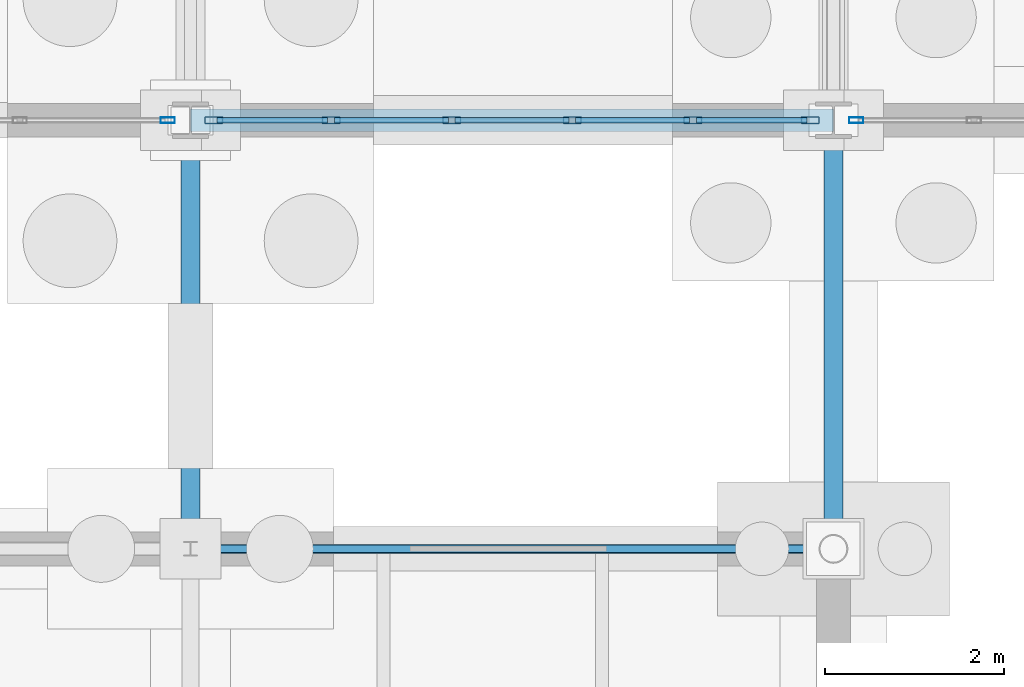
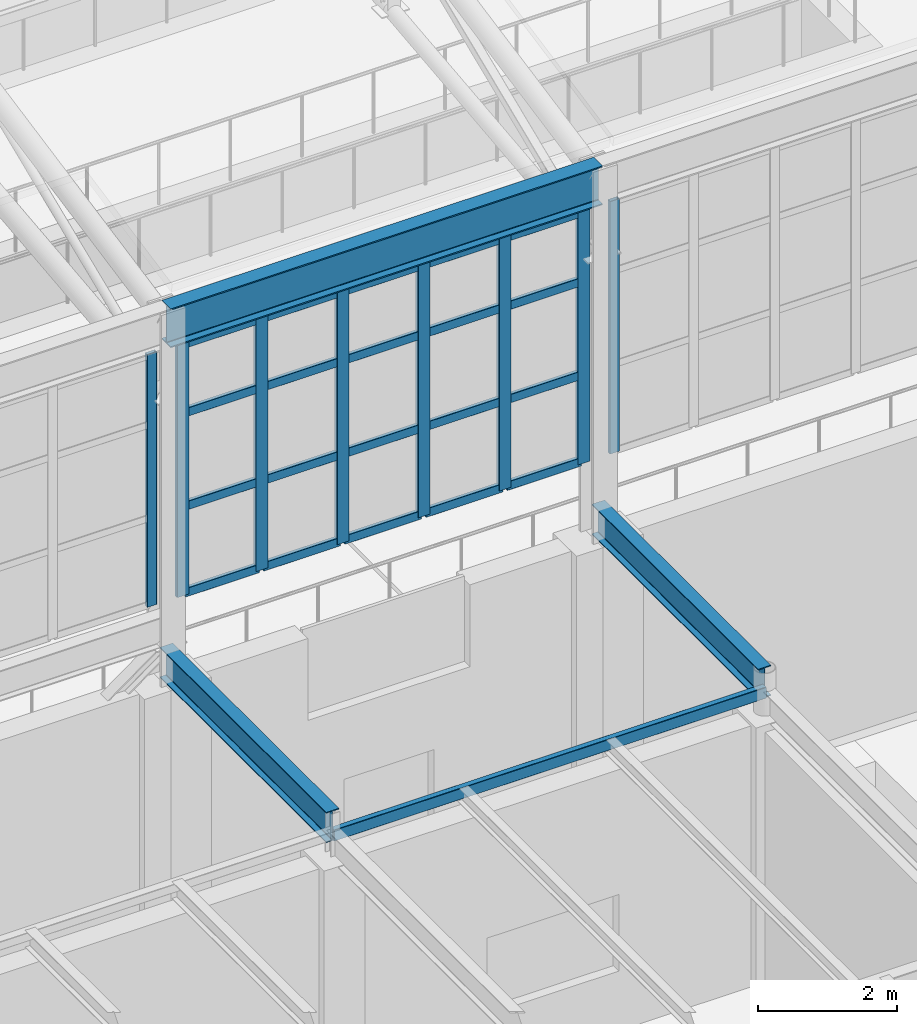
# One storey, part 170 of 293: 28 members, 4 beams, 3 elements without a shape of their own.
"""IFC4 building model written with IfcOpenShell, lengths in metres."""

import ifcopenshell
import ifcopenshell.guid

model = None  # the IFC model being written
_history = None  # IfcOwnerHistory: only IFC2X3 demands one
_inside = {}  # id of a spatial element -> (the spatial element, [elements in it])
_under = {}  # id of a project, library or spatial element -> (it, [spatial elements below it])
_declared = {}  # id of a project -> (the project, [libraries it declares])
_typed = {}  # id of a type object -> (the type object, [elements of that type])
_made_of = {}  # id of a material, layer set ... -> (it, [elements and type objects made of it])


def new_model(schema):
    """Start an empty IFC model of exactly this schema.

    Asked for "IFC4X3", IfcOpenShell would pick the latest addendum, in which some entities
    have other attributes; the version numbers below select the first issue.
    IFC2X3 requires an IfcOwnerHistory on every rooted entity: one is made here for all.
    """
    global model, _history
    if schema == "IFC4X3":
        model = ifcopenshell.file(schema_version=(4, 3, 0, 0))
    else:
        model = ifcopenshell.file(schema=schema)
    _inside.clear()
    _under.clear()
    _declared.clear()
    _typed.clear()
    _made_of.clear()
    _history = None
    if model.schema == "IFC2X3":
        org = make("IfcOrganization", Name="unknown")
        user = make(
            "IfcPersonAndOrganization",
            ThePerson=make("IfcPerson", FamilyName="unknown"),
            TheOrganization=org,
        )
        app = make(
            "IfcApplication",
            ApplicationDeveloper=org,
            Version="unknown",
            ApplicationFullName="unknown",
            ApplicationIdentifier="unknown",
        )
        _history = make(
            "IfcOwnerHistory",
            OwningUser=user,
            OwningApplication=app,
            ChangeAction="ADDED",
            CreationDate=0,
        )
    return model


def make(cls, **values):
    """One entity of the class cls with the attributes given. An attribute that is None is left unset."""
    return model.create_entity(
        cls, **{name: value for name, value in values.items() if value is not None}
    )


def rooted(cls, **values):
    """An entity with a GlobalId (a new one), such as an element, a storey or a relation."""
    return make(cls, GlobalId=ifcopenshell.guid.new(), OwnerHistory=_history, **values)


def si_unit(unit_type, name, prefix=None):
    """IfcSIUnit, for example si_unit("LENGTHUNIT", "METRE", prefix="MILLI")."""
    return make("IfcSIUnit", UnitType=unit_type, Prefix=prefix, Name=name)


def assignment(units):
    """IfcUnitAssignment: the units of a project."""
    return None if units is None else make("IfcUnitAssignment", Units=units)


def point(xyz):
    """IfcCartesianPoint."""
    return None if xyz is None else make("IfcCartesianPoint", Coordinates=xyz)


def direction(xyz):
    """IfcDirection."""
    return None if xyz is None else make("IfcDirection", DirectionRatios=xyz)


def frame(location, z_axis=None, x_axis=None):
    """IfcAxis2Placement3D, a coordinate frame: its origin and axes. An axis left out is left unset."""
    return make(
        "IfcAxis2Placement3D",
        Location=point(location),
        Axis=direction(z_axis),
        RefDirection=direction(x_axis),
    )


def frame_2d(location, x_axis=None):
    """IfcAxis2Placement2D, a coordinate frame in the plane: its origin and x axis."""
    return make(
        "IfcAxis2Placement2D", Location=point(location), RefDirection=direction(x_axis)
    )


def origin():
    """The frame at (0, 0, 0) with its axes left unset."""
    return frame((0.0, 0.0, 0.0))


def origin_2d():
    """The frame at (0, 0) in the plane with its x axis left unset."""
    return frame_2d((0.0, 0.0))


def place(relative_to, where):
    """IfcLocalPlacement: puts the frame where relative to a parent placement (None: the world)."""
    return make(
        "IfcLocalPlacement", PlacementRelTo=relative_to, RelativePlacement=where
    )


def context(
    kind, dimensions, precision=None, world=None, true_north=None, identifier=None
):
    """IfcGeometricRepresentationContext, for example the 3D "Model" context."""
    return make(
        "IfcGeometricRepresentationContext",
        ContextIdentifier=identifier,
        ContextType=kind,
        CoordinateSpaceDimension=dimensions,
        Precision=precision,
        WorldCoordinateSystem=world,
        TrueNorth=true_north,
    )


def subcontext(parent, identifier, kind, view, scale=None):
    """IfcGeometricRepresentationSubContext, for example "Body" below "Model"."""
    return make(
        "IfcGeometricRepresentationSubContext",
        ContextIdentifier=identifier,
        ContextType=kind,
        ParentContext=parent,
        TargetScale=scale,
        TargetView=view,
    )


def project(units=None, contexts=None):
    """IfcProject with its units and contexts."""
    return rooted(
        "IfcProject",
        Name="project",
        RepresentationContexts=contexts,
        UnitsInContext=assignment(units),
    )


def spatial(cls, under=None, at=None, **own):
    """A site, building, storey or space (cls), placed at a placement, below another one or the project."""
    s = rooted(cls, ObjectPlacement=at, **own)
    if under is not None:
        _under.setdefault(under.id(), (under, []))[1].append(s)
    return s


def profile(cls, at=None, kind="AREA", **sizes):
    """A parametric profile (cls). Its sizes go by their IFC names, for example OverallWidth=200.0."""
    return make(cls, ProfileType=kind, Position=at, **sizes)


def hollow_rectangle(**sizes):
    """IfcRectangleHollowProfileDef."""
    return profile("IfcRectangleHollowProfileDef", **sizes)


def i_section(**sizes):
    """IfcIShapeProfileDef."""
    return profile("IfcIShapeProfileDef", **sizes)


def extrude(swept, where, along, depth):
    """IfcExtrudedAreaSolid: the profile swept, set in the frame where, extruded along a direction by depth."""
    return make(
        "IfcExtrudedAreaSolid",
        SweptArea=swept,
        Position=where,
        ExtrudedDirection=direction(along),
        Depth=depth,
    )


def shape(context_of_items, identifier, shape_type, items):
    """IfcShapeRepresentation: the items that make up one representation, for example the "Body"."""
    return make(
        "IfcShapeRepresentation",
        ContextOfItems=context_of_items,
        RepresentationIdentifier=identifier,
        RepresentationType=shape_type,
        Items=items,
    )


def material(Name=None, Category=None):
    """IfcMaterial."""
    return make("IfcMaterial", Name=Name, Category=Category)


def layer(
    of_material, thickness, ventilated=None, Name=None, Category=None, Priority=None
):
    """IfcMaterialLayer: one layer of a wall or slab, of a material (None: an air gap)."""
    return make(
        "IfcMaterialLayer",
        Material=of_material,
        LayerThickness=thickness,
        IsVentilated=ventilated,
        Name=Name,
        Category=Category,
        Priority=Priority,
    )


def layer_set(layers, Name=None):
    """IfcMaterialLayerSet."""
    return make("IfcMaterialLayerSet", MaterialLayers=layers, LayerSetName=Name)


def material_profile(
    of_material, cross_section, Name=None, Category=None, Priority=None
):
    """IfcMaterialProfile: a cross section and its material."""
    return make(
        "IfcMaterialProfile",
        Name=Name,
        Material=of_material,
        Profile=cross_section,
        Priority=Priority,
        Category=Category,
    )


def profile_set(profiles, Name=None, composite=None):
    """IfcMaterialProfileSet."""
    return make(
        "IfcMaterialProfileSet",
        Name=Name,
        MaterialProfiles=profiles,
        CompositeProfile=composite,
    )


def made_of(thing, what):
    """Note that an element or type object is made of a material, layer set ...; save() writes the relation."""
    if what is not None:
        _made_of.setdefault(what.id(), (what, []))[1].append(thing)
    return thing


def type_object(cls, material=None, **own):
    """A type object (cls), such as IfcWallType, which elements share."""
    return made_of(rooted(cls, **own), material)


def element(
    cls,
    number,
    at=None,
    inside=None,
    cuts=None,
    type_object=None,
    material=None,
    context=None,
    identifier="Body",
    shape_type=None,
    held_by="IfcProductDefinitionShape",
    body=None,
    shapes=None,
    **own,
):
    """One element of the class cls, such as IfcWall. Its Tag is "e" and its number.

    at: its placement. inside: the storey or other place that contains it. cuts: it is an
    opening in that element (IfcRelVoidsElement). A single representation is given by context,
    identifier, shape_type and body (its items); several are given by shapes. held_by: the class
    of the entity that holds the representations. save() writes the other relations.
    """
    e = rooted(cls, Tag="e%d" % number, ObjectPlacement=at, **own)
    if body is not None:
        shapes = [shape(context, identifier, shape_type, body)]
    if shapes is not None:
        e.Representation = make(held_by, Representations=shapes)
    if inside is not None:
        _inside.setdefault(inside.id(), (inside, []))[1].append(e)
    if cuts is not None:
        rooted(
            "IfcRelVoidsElement", RelatingBuildingElement=cuts, RelatedOpeningElement=e
        )
    if type_object is not None:
        _typed.setdefault(type_object.id(), (type_object, []))[1].append(e)
    return made_of(e, material)


def aggregate(whole, parts):
    """IfcRelAggregates: a whole, such as a stair, and the parts it consists of."""
    return rooted("IfcRelAggregates", RelatingObject=whole, RelatedObjects=parts)


def save(model, path):
    """Write the relations noted so far, then the file.

    IfcRelAggregates (storeys below a building ...), IfcRelContainedInSpatialStructure (elements
    in a storey), IfcRelDefinesByType, IfcRelAssociatesMaterial and IfcRelDeclares: one each for
    every whole, place, type object, material and project.
    """
    for whole, parts in _under.values():
        aggregate(whole, parts)
    for where, things in _inside.values():
        rooted(
            "IfcRelContainedInSpatialStructure",
            RelatedElements=things,
            RelatingStructure=where,
        )
    for kind, things in _typed.values():
        rooted("IfcRelDefinesByType", RelatedObjects=things, RelatingType=kind)
    for what, things in _made_of.values():
        rooted("IfcRelAssociatesMaterial", RelatedObjects=things, RelatingMaterial=what)
    for by, libraries in _declared.values():
        rooted("IfcRelDeclares", RelatingContext=by, RelatedDefinitions=libraries)
    model.write(path)


model = new_model("IFC4")

# Units and contexts
model_context = context("Model", 3, precision=1e-05, world=origin(), true_north=direction((0.0, 1.0)))
body_context = subcontext(model_context, "Body", "Model", "MODEL_VIEW")
ifc_project = project(units=[si_unit("LENGTHUNIT", "METRE"), si_unit("AREAUNIT", "SQUARE_METRE"), si_unit("VOLUMEUNIT", "CUBIC_METRE"), si_unit("PLANEANGLEUNIT", "RADIAN"), si_unit("MASSUNIT", "GRAM", prefix="KILO")], contexts=[model_context])

# Site, building, storey
site_placement = place(None, origin())
site = spatial("IfcSite", under=ifc_project, at=site_placement, CompositionType="ELEMENT")
building_placement = place(site_placement, origin())
building = spatial("IfcBuilding", under=site, at=building_placement, Name="Kemerveld Promenade Tramway Depot", CompositionType="ELEMENT")
storey_placement = place(building_placement, origin())
storey = spatial("IfcBuildingStorey", under=building, at=storey_placement, Name="L00", CompositionType="ELEMENT", Elevation=0.0)

# Beams
ifc_material_1 = material(Name="Steel S355", Category="steel")
ifc_material_profile_1 = material_profile(ifc_material_1, i_section(OverallWidth=0.25439453125, OverallDepth=0.6875, WebThickness=0.01318359375, FlangeThickness=0.02099609375, FilletRadius=0.01513671875, at=origin_2d()), Name="686x254x152 UB")
ifc_profile_set_1 = profile_set([ifc_material_profile_1], Name="Steel S355")
beam_type_1 = type_object("IfcBeamType", Name="BM-G03", PredefinedType="BEAM", material=ifc_profile_set_1)
beam_1_placement = place(storey_placement, frame((151.199951171875, 84.0, 11.056396484375), z_axis=(1.0, 0.0, 0.0), x_axis=(0.0, 1.0, 0.0)))
element("IfcBeam", 1, at=beam_1_placement, inside=storey, type_object=beam_type_1, Name="BM-SHED-EAVE-N-22", PredefinedType="BEAM", context=body_context, shape_type="SweptSolid", body=[
    extrude(i_section(OverallWidth=0.25439453125, OverallDepth=0.6875, WebThickness=0.01318359375, FlangeThickness=0.02099609375, FilletRadius=0.01513671875, at=origin_2d()), origin(), (0.0, 0.0, 1.0), 7.199951171875),
])
ifc_material_profile_2 = material_profile(ifc_material_1, i_section(OverallWidth=0.2099609375, OverallDepth=0.53662109375, WebThickness=0.0107421875, FlangeThickness=0.017333984375, FilletRadius=0.0126953125, at=origin_2d()), Name="533x210x101 UB")
ifc_profile_set_2 = profile_set([ifc_material_profile_2], Name="Steel S355")
beam_type_2 = type_object("IfcBeamType", Name="BM-G05", PredefinedType="BEAM", material=ifc_profile_set_2)
for number, where, z_axis, x_axis, name in (
    (2, (151.199951171875, 79.199951171875, 5.131591796875), (0.0, 1.0, 0.0), (-1.0, 0.0, 0.0), "BM-LINK-22-MN"),
    (3, (158.39990234375, 79.199951171875, 5.131591796875), (0.0, 1.0, 0.0), (-1.0, 0.0, 0.0), "BM-LINK-23-MN"),
):
    element("IfcBeam", number, at=place(storey_placement, frame(where, z_axis=z_axis, x_axis=x_axis)), inside=storey, type_object=beam_type_2, Name=name, PredefinedType="BEAM", context=body_context, shape_type="SweptSolid", body=[
        extrude(i_section(OverallWidth=0.2099609375, OverallDepth=0.53662109375, WebThickness=0.0107421875, FlangeThickness=0.017333984375, FilletRadius=0.0126953125, at=origin_2d()), origin(), (0.0, 0.0, 1.0), 4.800048828125),
    ])
ifc_material_profile_3 = material_profile(ifc_material_1, hollow_rectangle(XDim=0.10009765625, YDim=0.199951171875, WallThickness=0.008056640625, InnerFilletRadius=0.00390625, OuterFilletRadius=0.011962890625, at=origin_2d()), Name="200x100x8.0 RHS")
ifc_profile_set_3 = profile_set([ifc_material_profile_3], Name="Steel S355")
beam_type_3 = type_object("IfcBeamType", Name="BM-LN1", PredefinedType="LINTEL", material=ifc_profile_set_3)
beam_2_placement = place(storey_placement, frame((151.199951171875, 79.199951171875, 4.97998046875), z_axis=(1.0, 0.0, 0.0), x_axis=(0.0, 1.0, 0.0)))
element("IfcBeam", 4, at=beam_2_placement, inside=storey, type_object=beam_type_3, Name="BMX-L00-22-23-M", PredefinedType="LINTEL", context=body_context, shape_type="SweptSolid", body=[
    extrude(hollow_rectangle(XDim=0.10009765625, YDim=0.199951171875, WallThickness=0.008056640625, InnerFilletRadius=0.00390625, OuterFilletRadius=0.011962890625, at=origin_2d()), origin(), (0.0, 0.0, 1.0), 7.199951171875),
])

# Curtain wall, member
ifc_material_2 = material(Name="Bronze anodised aluminium and solar glass", Category="aluminium")
ifc_layer_1 = layer(ifc_material_2, 0.159912109375)
ifc_layer_set_1 = layer_set([ifc_layer_1], Name="CW-SYS-05")
curtain_wall_type_1 = type_object("IfcCurtainWallType", Name="CW-SYS-05", PredefinedType="USERDEFINED", material=ifc_layer_set_1)
curtain_wall_1_placement = place(storey_placement, origin())
curtain_wall_1 = element("IfcCurtainWall", 5, at=curtain_wall_1_placement, inside=storey, type_object=curtain_wall_type_1, Name="CW-V1-S-16", ObjectType="GLAZED_CURTAIN_WALL", PredefinedType="USERDEFINED")
ifc_material_3 = material(Name="Bronze anodised aluminium", Category="aluminium")
ifc_material_profile_4 = material_profile(ifc_material_3, hollow_rectangle(XDim=0.06494140625, YDim=0.159912109375, WallThickness=0.00390625, InnerFilletRadius=0.001953125, OuterFilletRadius=0.00390625, at=origin_2d()), Name="CW-MUL-160x65")
ifc_profile_set_4 = profile_set([ifc_material_profile_4], Name="Bronze anodised aluminium")
member_type_1 = type_object("IfcMemberType", Name="CW-MUL-A", PredefinedType="MULLION", material=ifc_profile_set_4)
member_1_placement = place(storey_placement, frame((150.9443359375, 84.0, 6.199951171875), z_axis=(0.0, 0.0, 1.0), x_axis=(0.0, -1.0, 0.0)))
member_1 = element("IfcMember", 6, at=member_1_placement, type_object=member_type_1, Name="CW05 mullion 1", PredefinedType="MULLION", context=body_context, shape_type="SweptSolid", body=[
    extrude(hollow_rectangle(XDim=0.06494140625, YDim=0.159912109375, WallThickness=0.00390625, InnerFilletRadius=0.001953125, OuterFilletRadius=0.00390625, at=origin_2d()), origin(), (0.0, 0.0, 1.0), 4.449951171875),
])
aggregate(curtain_wall_1, [member_1])

ifc_layer_2 = layer(ifc_material_2, 0.159912109375)
ifc_layer_set_2 = layer_set([ifc_layer_2], Name="CW-SYS-07")
curtain_wall_type_2 = type_object("IfcCurtainWallType", Name="CW-SYS-07", PredefinedType="USERDEFINED", material=ifc_layer_set_2)
curtain_wall_2_placement = place(storey_placement, origin())
curtain_wall_2 = element("IfcCurtainWall", 7, at=curtain_wall_2_placement, inside=storey, type_object=curtain_wall_type_2, Name="CW-V1-S-18", ObjectType="GLAZED_CURTAIN_WALL", PredefinedType="USERDEFINED")
member_2_placement = place(storey_placement, frame((158.65576171875, 84.0, 6.199951171875), z_axis=(0.0, 0.0, 1.0), x_axis=(0.0, -1.0, 0.0)))
member_2 = element("IfcMember", 8, at=member_2_placement, type_object=member_type_1, Name="CW07 mullion 6", PredefinedType="MULLION", context=body_context, shape_type="SweptSolid", body=[
    extrude(hollow_rectangle(XDim=0.06494140625, YDim=0.159912109375, WallThickness=0.00390625, InnerFilletRadius=0.001953125, OuterFilletRadius=0.00390625, at=origin_2d()), origin(), (0.0, 0.0, 1.0), 4.449951171875),
])
aggregate(curtain_wall_2, [member_2])

# Curtain wall, members
ifc_layer_3 = layer(ifc_material_2, 0.199951171875)
ifc_layer_set_3 = layer_set([ifc_layer_3], Name="CW-SYS-06")
curtain_wall_type_3 = type_object("IfcCurtainWallType", Name="CW-SYS-06", PredefinedType="USERDEFINED", material=ifc_layer_set_3)
curtain_wall_3_placement = place(storey_placement, origin())
curtain_wall_3 = element("IfcCurtainWall", 9, at=curtain_wall_3_placement, inside=storey, type_object=curtain_wall_type_3, Name="CW-V1-S-17", ObjectType="GLAZED_CURTAIN_WALL", PredefinedType="USERDEFINED")
ifc_material_profile_5 = material_profile(ifc_material_3, hollow_rectangle(XDim=0.074951171875, YDim=0.199951171875, WallThickness=0.0048828125, InnerFilletRadius=0.001953125, OuterFilletRadius=0.0048828125, at=origin_2d()), Name="CW-MUL-200x75")
ifc_profile_set_5 = profile_set([ifc_material_profile_5], Name="Bronze anodised aluminium")
member_type_2 = type_object("IfcMemberType", Name="CW-MUL-B", PredefinedType="MULLION", material=ifc_profile_set_5)
member_3_placement = place(storey_placement, frame((158.139404296875, 84.0, 6.199951171875), z_axis=(0.0, 0.0, 1.0), x_axis=(0.0, -1.0, 0.0)))
member_3 = element("IfcMember", 10, at=member_3_placement, type_object=member_type_2, Name="CW06 mullion 1", PredefinedType="MULLION", context=body_context, shape_type="SweptSolid", body=[
    extrude(hollow_rectangle(XDim=0.074951171875, YDim=0.199951171875, WallThickness=0.0048828125, InnerFilletRadius=0.001953125, OuterFilletRadius=0.0048828125, at=origin_2d()), origin(), (0.0, 0.0, 1.0), 4.449951171875),
])
member_4_placement = place(storey_placement, frame((156.826171875, 84.0, 6.199951171875), z_axis=(0.0, 0.0, 1.0), x_axis=(0.0, -1.0, 0.0)))
member_4 = element("IfcMember", 11, at=member_4_placement, type_object=member_type_2, Name="CW06 mullion 2", PredefinedType="MULLION", context=body_context, shape_type="SweptSolid", body=[
    extrude(hollow_rectangle(XDim=0.074951171875, YDim=0.199951171875, WallThickness=0.0048828125, InnerFilletRadius=0.001953125, OuterFilletRadius=0.0048828125, at=origin_2d()), origin(), (0.0, 0.0, 1.0), 4.449951171875),
])
member_5_placement = place(storey_placement, frame((155.475341796875, 84.0, 6.199951171875), z_axis=(0.0, 0.0, 1.0), x_axis=(0.0, -1.0, 0.0)))
member_5 = element("IfcMember", 12, at=member_5_placement, type_object=member_type_2, Name="CW06 mullion 3", PredefinedType="MULLION", context=body_context, shape_type="SweptSolid", body=[
    extrude(hollow_rectangle(XDim=0.074951171875, YDim=0.199951171875, WallThickness=0.0048828125, InnerFilletRadius=0.001953125, OuterFilletRadius=0.0048828125, at=origin_2d()), origin(), (0.0, 0.0, 1.0), 4.449951171875),
])
member_6_placement = place(storey_placement, frame((154.124755859375, 84.0, 6.199951171875), z_axis=(0.0, 0.0, 1.0), x_axis=(0.0, -1.0, 0.0)))
member_6 = element("IfcMember", 13, at=member_6_placement, type_object=member_type_2, Name="CW06 mullion 4", PredefinedType="MULLION", context=body_context, shape_type="SweptSolid", body=[
    extrude(hollow_rectangle(XDim=0.074951171875, YDim=0.199951171875, WallThickness=0.0048828125, InnerFilletRadius=0.001953125, OuterFilletRadius=0.0048828125, at=origin_2d()), origin(), (0.0, 0.0, 1.0), 4.449951171875),
])
member_7_placement = place(storey_placement, frame((152.77392578125, 84.0, 6.199951171875), z_axis=(0.0, 0.0, 1.0), x_axis=(0.0, -1.0, 0.0)))
member_7 = element("IfcMember", 14, at=member_7_placement, type_object=member_type_2, Name="CW06 mullion 5", PredefinedType="MULLION", context=body_context, shape_type="SweptSolid", body=[
    extrude(hollow_rectangle(XDim=0.074951171875, YDim=0.199951171875, WallThickness=0.0048828125, InnerFilletRadius=0.001953125, OuterFilletRadius=0.0048828125, at=origin_2d()), origin(), (0.0, 0.0, 1.0), 4.449951171875),
])
member_8_placement = place(storey_placement, frame((151.460693359375, 84.0, 6.199951171875), z_axis=(0.0, 0.0, 1.0), x_axis=(0.0, -1.0, 0.0)))
member_8 = element("IfcMember", 15, at=member_8_placement, type_object=member_type_2, Name="CW06 mullion 6", PredefinedType="MULLION", context=body_context, shape_type="SweptSolid", body=[
    extrude(hollow_rectangle(XDim=0.074951171875, YDim=0.199951171875, WallThickness=0.0048828125, InnerFilletRadius=0.001953125, OuterFilletRadius=0.0048828125, at=origin_2d()), origin(), (0.0, 0.0, 1.0), 4.449951171875),
])
ifc_material_profile_6 = material_profile(ifc_material_3, hollow_rectangle(XDim=0.06494140625, YDim=0.14990234375, WallThickness=0.00439453125, InnerFilletRadius=0.001953125, OuterFilletRadius=0.00439453125, at=origin_2d()), Name="CW-TRN-150x65")
ifc_profile_set_6 = profile_set([ifc_material_profile_6], Name="Bronze anodised aluminium")
member_type_3 = type_object("IfcMemberType", Name="CW-TRN-B", PredefinedType="USERDEFINED", material=ifc_profile_set_6)
member_9_placement = place(storey_placement, frame((158.101806640625, 84.0, 6.232421875), z_axis=(-1.0, 0.0, 0.0), x_axis=(0.0, -1.0, 0.0)))
member_9 = element("IfcMember", 16, at=member_9_placement, type_object=member_type_3, Name="CW06 transom 1.1", ObjectType="TRANSOM", PredefinedType="USERDEFINED", context=body_context, shape_type="SweptSolid", body=[
    extrude(hollow_rectangle(XDim=0.06494140625, YDim=0.14990234375, WallThickness=0.00439453125, InnerFilletRadius=0.001953125, OuterFilletRadius=0.00439453125, at=origin_2d()), origin(), (0.0, 0.0, 1.0), 1.23828125),
])
member_10_placement = place(storey_placement, frame((158.101806640625, 84.0, 7.758056640625), z_axis=(-1.0, 0.0, 0.0), x_axis=(0.0, -1.0, 0.0)))
member_10 = element("IfcMember", 17, at=member_10_placement, type_object=member_type_3, Name="CW06 transom 1.2", ObjectType="TRANSOM", PredefinedType="USERDEFINED", context=body_context, shape_type="SweptSolid", body=[
    extrude(hollow_rectangle(XDim=0.06494140625, YDim=0.14990234375, WallThickness=0.00439453125, InnerFilletRadius=0.001953125, OuterFilletRadius=0.00439453125, at=origin_2d()), origin(), (0.0, 0.0, 1.0), 1.23828125),
])
member_11_placement = place(storey_placement, frame((158.101806640625, 84.0, 9.404052734375), z_axis=(-1.0, 0.0, 0.0), x_axis=(0.0, -1.0, 0.0)))
member_11 = element("IfcMember", 18, at=member_11_placement, type_object=member_type_3, Name="CW06 transom 1.3", ObjectType="TRANSOM", PredefinedType="USERDEFINED", context=body_context, shape_type="SweptSolid", body=[
    extrude(hollow_rectangle(XDim=0.06494140625, YDim=0.14990234375, WallThickness=0.00439453125, InnerFilletRadius=0.001953125, OuterFilletRadius=0.00439453125, at=origin_2d()), origin(), (0.0, 0.0, 1.0), 1.23828125),
])
member_12_placement = place(storey_placement, frame((158.101806640625, 84.0, 10.617431640625), z_axis=(-1.0, 0.0, 0.0), x_axis=(0.0, -1.0, 0.0)))
member_12 = element("IfcMember", 19, at=member_12_placement, type_object=member_type_3, Name="CW06 transom 1.4", ObjectType="TRANSOM", PredefinedType="USERDEFINED", context=body_context, shape_type="SweptSolid", body=[
    extrude(hollow_rectangle(XDim=0.06494140625, YDim=0.14990234375, WallThickness=0.00439453125, InnerFilletRadius=0.001953125, OuterFilletRadius=0.00439453125, at=origin_2d()), origin(), (0.0, 0.0, 1.0), 1.23828125),
])
member_13_placement = place(storey_placement, frame((156.78857421875, 84.0, 6.232421875), z_axis=(-1.0, 0.0, 0.0), x_axis=(0.0, -1.0, 0.0)))
member_13 = element("IfcMember", 20, at=member_13_placement, type_object=member_type_3, Name="CW06 transom 2.1", ObjectType="TRANSOM", PredefinedType="USERDEFINED", context=body_context, shape_type="SweptSolid", body=[
    extrude(hollow_rectangle(XDim=0.06494140625, YDim=0.14990234375, WallThickness=0.00439453125, InnerFilletRadius=0.001953125, OuterFilletRadius=0.00439453125, at=origin_2d()), origin(), (0.0, 0.0, 1.0), 1.275634765625),
])
member_14_placement = place(storey_placement, frame((156.78857421875, 84.0, 7.758056640625), z_axis=(-1.0, 0.0, 0.0), x_axis=(0.0, -1.0, 0.0)))
member_14 = element("IfcMember", 21, at=member_14_placement, type_object=member_type_3, Name="CW06 transom 2.2", ObjectType="TRANSOM", PredefinedType="USERDEFINED", context=body_context, shape_type="SweptSolid", body=[
    extrude(hollow_rectangle(XDim=0.06494140625, YDim=0.14990234375, WallThickness=0.00439453125, InnerFilletRadius=0.001953125, OuterFilletRadius=0.00439453125, at=origin_2d()), origin(), (0.0, 0.0, 1.0), 1.275634765625),
])
member_15_placement = place(storey_placement, frame((156.78857421875, 84.0, 9.404052734375), z_axis=(-1.0, 0.0, 0.0), x_axis=(0.0, -1.0, 0.0)))
member_15 = element("IfcMember", 22, at=member_15_placement, type_object=member_type_3, Name="CW06 transom 2.3", ObjectType="TRANSOM", PredefinedType="USERDEFINED", context=body_context, shape_type="SweptSolid", body=[
    extrude(hollow_rectangle(XDim=0.06494140625, YDim=0.14990234375, WallThickness=0.00439453125, InnerFilletRadius=0.001953125, OuterFilletRadius=0.00439453125, at=origin_2d()), origin(), (0.0, 0.0, 1.0), 1.275634765625),
])
member_16_placement = place(storey_placement, frame((156.78857421875, 84.0, 10.617431640625), z_axis=(-1.0, 0.0, 0.0), x_axis=(0.0, -1.0, 0.0)))
member_16 = element("IfcMember", 23, at=member_16_placement, type_object=member_type_3, Name="CW06 transom 2.4", ObjectType="TRANSOM", PredefinedType="USERDEFINED", context=body_context, shape_type="SweptSolid", body=[
    extrude(hollow_rectangle(XDim=0.06494140625, YDim=0.14990234375, WallThickness=0.00439453125, InnerFilletRadius=0.001953125, OuterFilletRadius=0.00439453125, at=origin_2d()), origin(), (0.0, 0.0, 1.0), 1.275634765625),
])
member_17_placement = place(storey_placement, frame((155.437744140625, 84.0, 6.232421875), z_axis=(-1.0, 0.0, 0.0), x_axis=(0.0, -1.0, 0.0)))
member_17 = element("IfcMember", 24, at=member_17_placement, type_object=member_type_3, Name="CW06 transom 3.1", ObjectType="TRANSOM", PredefinedType="USERDEFINED", context=body_context, shape_type="SweptSolid", body=[
    extrude(hollow_rectangle(XDim=0.06494140625, YDim=0.14990234375, WallThickness=0.00439453125, InnerFilletRadius=0.001953125, OuterFilletRadius=0.00439453125, at=origin_2d()), origin(), (0.0, 0.0, 1.0), 1.275634765625),
])
member_18_placement = place(storey_placement, frame((155.437744140625, 84.0, 7.758056640625), z_axis=(-1.0, 0.0, 0.0), x_axis=(0.0, -1.0, 0.0)))
member_18 = element("IfcMember", 25, at=member_18_placement, type_object=member_type_3, Name="CW06 transom 3.2", ObjectType="TRANSOM", PredefinedType="USERDEFINED", context=body_context, shape_type="SweptSolid", body=[
    extrude(hollow_rectangle(XDim=0.06494140625, YDim=0.14990234375, WallThickness=0.00439453125, InnerFilletRadius=0.001953125, OuterFilletRadius=0.00439453125, at=origin_2d()), origin(), (0.0, 0.0, 1.0), 1.275634765625),
])
member_19_placement = place(storey_placement, frame((155.437744140625, 84.0, 9.404052734375), z_axis=(-1.0, 0.0, 0.0), x_axis=(0.0, -1.0, 0.0)))
member_19 = element("IfcMember", 26, at=member_19_placement, type_object=member_type_3, Name="CW06 transom 3.3", ObjectType="TRANSOM", PredefinedType="USERDEFINED", context=body_context, shape_type="SweptSolid", body=[
    extrude(hollow_rectangle(XDim=0.06494140625, YDim=0.14990234375, WallThickness=0.00439453125, InnerFilletRadius=0.001953125, OuterFilletRadius=0.00439453125, at=origin_2d()), origin(), (0.0, 0.0, 1.0), 1.275634765625),
])
member_20_placement = place(storey_placement, frame((155.437744140625, 84.0, 10.617431640625), z_axis=(-1.0, 0.0, 0.0), x_axis=(0.0, -1.0, 0.0)))
member_20 = element("IfcMember", 27, at=member_20_placement, type_object=member_type_3, Name="CW06 transom 3.4", ObjectType="TRANSOM", PredefinedType="USERDEFINED", context=body_context, shape_type="SweptSolid", body=[
    extrude(hollow_rectangle(XDim=0.06494140625, YDim=0.14990234375, WallThickness=0.00439453125, InnerFilletRadius=0.001953125, OuterFilletRadius=0.00439453125, at=origin_2d()), origin(), (0.0, 0.0, 1.0), 1.275634765625),
])
member_21_placement = place(storey_placement, frame((154.087158203125, 84.0, 6.232421875), z_axis=(-1.0, 0.0, 0.0), x_axis=(0.0, -1.0, 0.0)))
member_21 = element("IfcMember", 28, at=member_21_placement, type_object=member_type_3, Name="CW06 transom 4.1", ObjectType="TRANSOM", PredefinedType="USERDEFINED", context=body_context, shape_type="SweptSolid", body=[
    extrude(hollow_rectangle(XDim=0.06494140625, YDim=0.14990234375, WallThickness=0.00439453125, InnerFilletRadius=0.001953125, OuterFilletRadius=0.00439453125, at=origin_2d()), origin(), (0.0, 0.0, 1.0), 1.275634765625),
])
member_22_placement = place(storey_placement, frame((154.087158203125, 84.0, 7.758056640625), z_axis=(-1.0, 0.0, 0.0), x_axis=(0.0, -1.0, 0.0)))
member_22 = element("IfcMember", 29, at=member_22_placement, type_object=member_type_3, Name="CW06 transom 4.2", ObjectType="TRANSOM", PredefinedType="USERDEFINED", context=body_context, shape_type="SweptSolid", body=[
    extrude(hollow_rectangle(XDim=0.06494140625, YDim=0.14990234375, WallThickness=0.00439453125, InnerFilletRadius=0.001953125, OuterFilletRadius=0.00439453125, at=origin_2d()), origin(), (0.0, 0.0, 1.0), 1.275634765625),
])
member_23_placement = place(storey_placement, frame((154.087158203125, 84.0, 9.404052734375), z_axis=(-1.0, 0.0, 0.0), x_axis=(0.0, -1.0, 0.0)))
member_23 = element("IfcMember", 30, at=member_23_placement, type_object=member_type_3, Name="CW06 transom 4.3", ObjectType="TRANSOM", PredefinedType="USERDEFINED", context=body_context, shape_type="SweptSolid", body=[
    extrude(hollow_rectangle(XDim=0.06494140625, YDim=0.14990234375, WallThickness=0.00439453125, InnerFilletRadius=0.001953125, OuterFilletRadius=0.00439453125, at=origin_2d()), origin(), (0.0, 0.0, 1.0), 1.275634765625),
])
member_24_placement = place(storey_placement, frame((154.087158203125, 84.0, 10.617431640625), z_axis=(-1.0, 0.0, 0.0), x_axis=(0.0, -1.0, 0.0)))
member_24 = element("IfcMember", 31, at=member_24_placement, type_object=member_type_3, Name="CW06 transom 4.4", ObjectType="TRANSOM", PredefinedType="USERDEFINED", context=body_context, shape_type="SweptSolid", body=[
    extrude(hollow_rectangle(XDim=0.06494140625, YDim=0.14990234375, WallThickness=0.00439453125, InnerFilletRadius=0.001953125, OuterFilletRadius=0.00439453125, at=origin_2d()), origin(), (0.0, 0.0, 1.0), 1.275634765625),
])
member_25_placement = place(storey_placement, frame((152.736328125, 84.0, 6.232421875), z_axis=(-1.0, 0.0, 0.0), x_axis=(0.0, -1.0, 0.0)))
member_25 = element("IfcMember", 32, at=member_25_placement, type_object=member_type_3, Name="CW06 transom 5.1", ObjectType="TRANSOM", PredefinedType="USERDEFINED", context=body_context, shape_type="SweptSolid", body=[
    extrude(hollow_rectangle(XDim=0.06494140625, YDim=0.14990234375, WallThickness=0.00439453125, InnerFilletRadius=0.001953125, OuterFilletRadius=0.00439453125, at=origin_2d()), origin(), (0.0, 0.0, 1.0), 1.238037109375),
])
member_26_placement = place(storey_placement, frame((152.736328125, 84.0, 7.758056640625), z_axis=(-1.0, 0.0, 0.0), x_axis=(0.0, -1.0, 0.0)))
member_26 = element("IfcMember", 33, at=member_26_placement, type_object=member_type_3, Name="CW06 transom 5.2", ObjectType="TRANSOM", PredefinedType="USERDEFINED", context=body_context, shape_type="SweptSolid", body=[
    extrude(hollow_rectangle(XDim=0.06494140625, YDim=0.14990234375, WallThickness=0.00439453125, InnerFilletRadius=0.001953125, OuterFilletRadius=0.00439453125, at=origin_2d()), origin(), (0.0, 0.0, 1.0), 1.238037109375),
])
member_27_placement = place(storey_placement, frame((152.736328125, 84.0, 9.404052734375), z_axis=(-1.0, 0.0, 0.0), x_axis=(0.0, -1.0, 0.0)))
member_27 = element("IfcMember", 34, at=member_27_placement, type_object=member_type_3, Name="CW06 transom 5.3", ObjectType="TRANSOM", PredefinedType="USERDEFINED", context=body_context, shape_type="SweptSolid", body=[
    extrude(hollow_rectangle(XDim=0.06494140625, YDim=0.14990234375, WallThickness=0.00439453125, InnerFilletRadius=0.001953125, OuterFilletRadius=0.00439453125, at=origin_2d()), origin(), (0.0, 0.0, 1.0), 1.238037109375),
])
member_28_placement = place(storey_placement, frame((152.736328125, 84.0, 10.617431640625), z_axis=(-1.0, 0.0, 0.0), x_axis=(0.0, -1.0, 0.0)))
member_28 = element("IfcMember", 35, at=member_28_placement, type_object=member_type_3, Name="CW06 transom 5.4", ObjectType="TRANSOM", PredefinedType="USERDEFINED", context=body_context, shape_type="SweptSolid", body=[
    extrude(hollow_rectangle(XDim=0.06494140625, YDim=0.14990234375, WallThickness=0.00439453125, InnerFilletRadius=0.001953125, OuterFilletRadius=0.00439453125, at=origin_2d()), origin(), (0.0, 0.0, 1.0), 1.238037109375),
])
aggregate(curtain_wall_3, [member_3, member_4, member_5, member_6, member_7, member_8, member_9, member_10, member_11, member_12, member_13, member_14, member_15, member_16, member_17, member_18, member_19, member_20, member_21, member_22, member_23, member_24, member_25, member_26, member_27, member_28])

save(model, "model.ifc")
